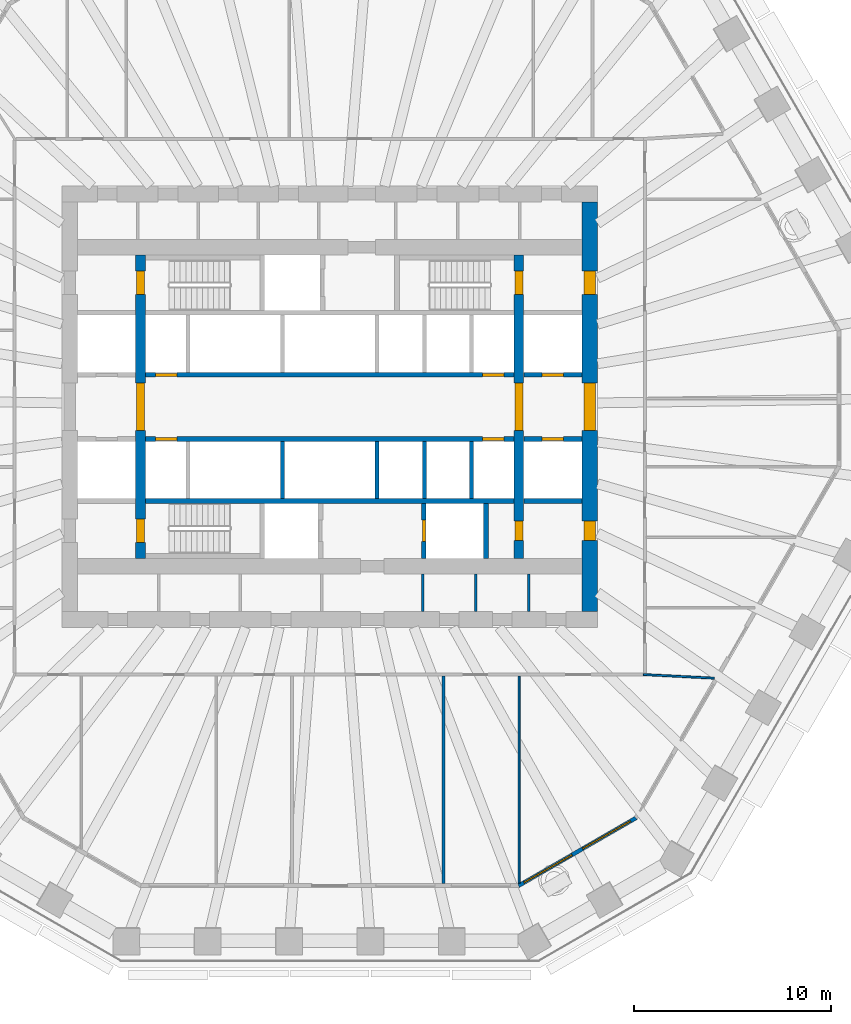
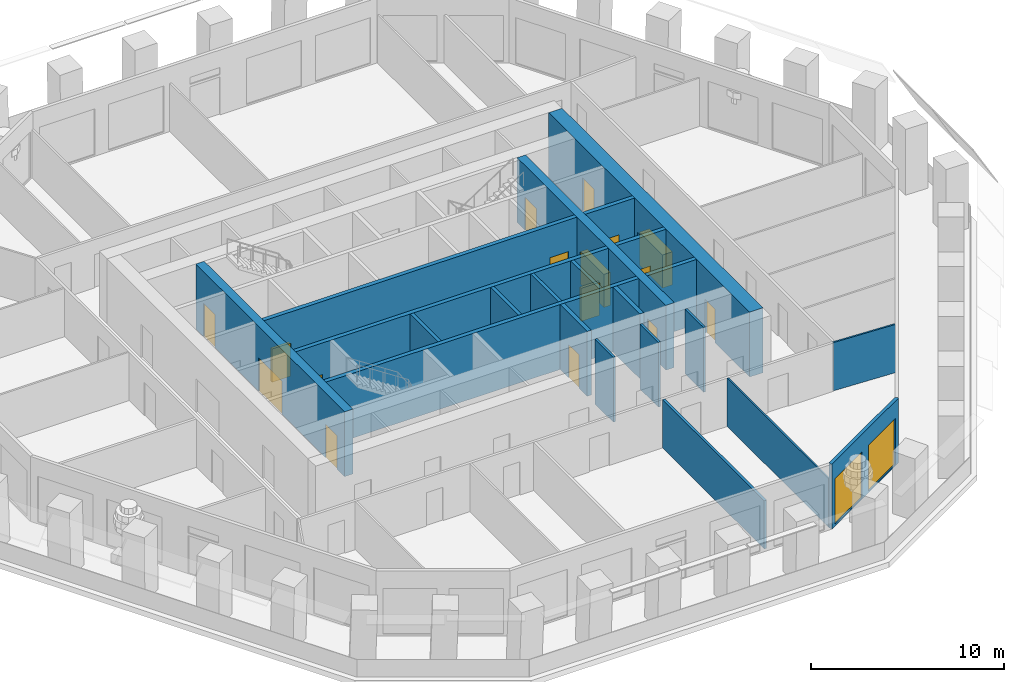
# One storey, part 5 of 13: 22 walls, 16 doors, 2 windows, 18 openings.
"""IFC4 building model written with IfcOpenShell, lengths in metres."""

from ifc_helpers import new_model, si_unit, direction, frame, frame_2d, origin, place, context, subcontext, project, spatial, polyline, rectangle, outline, extrude, material, layer, layer_set, type_object, element, fill, save


model = new_model("IFC4")

# Units and contexts
model_context = context("Model", 3, precision=1e-05, world=origin(), true_north=direction((0.0, 1.0)))
body_context = subcontext(model_context, "Body", "Model", "MODEL_VIEW")
ifc_project = project(units=[si_unit("LENGTHUNIT", "METRE"), si_unit("AREAUNIT", "SQUARE_METRE"), si_unit("VOLUMEUNIT", "CUBIC_METRE"), si_unit("PLANEANGLEUNIT", "RADIAN"), si_unit("MASSUNIT", "GRAM", prefix="KILO")], contexts=[model_context])

# Site, building, storey
site_placement = place(None, origin())
site = spatial("IfcSite", under=ifc_project, at=site_placement, CompositionType="ELEMENT")
building_placement = place(site_placement, origin())
building = spatial("IfcBuilding", under=site, at=building_placement, Name="Frailejon Research Tower", CompositionType="ELEMENT")
storey_placement = place(building_placement, frame((0.0, 0.0, 94.0)))
storey = spatial("IfcBuildingStorey", under=building, at=storey_placement, Name="L20", CompositionType="ELEMENT", Elevation=94.0)

# Walls
ifc_material_1 = material(Name="Plasterboard on steel studs", Category="steel")
ifc_layer_1 = layer(ifc_material_1, 0.125)
ifc_layer_set_1 = layer_set([ifc_layer_1], Name="Core partition 125")
wall_type_1 = type_object("IfcWallType", Name="Core partition 125", PredefinedType="PARTITIONING", material=ifc_layer_set_1)
for number, where, z_axis, x_axis, name in (
    (1, (4.71240234375, -10.39990234375, 0.0), (0.0, 0.0, 1.0), (0.0, 1.0, 0.0), "Core partition"),
    (2, (7.408203125, -10.39990234375, 0.0), (0.0, 0.0, 1.0), (0.0, 1.0, 0.0), "Core partition"),
    (3, (10.104248046875, -10.39990234375, 0.0), (0.0, 0.0, 1.0), (0.0, 1.0, 0.0), "Core partition"),
):
    element("IfcWall", number, at=place(storey_placement, frame(where, z_axis=z_axis, x_axis=x_axis)), inside=storey, type_object=wall_type_1, Name=name, PredefinedType="PARTITIONING", context=body_context, shape_type="SweptSolid", body=[
        extrude(rectangle(XDim=1.89990234375, YDim=0.125, at=frame_2d((0.949951171875, 0.0))), origin(), (0.0, 0.0, 1.0), 4.10009765625),
    ])

# Wall, openings, doors
ifc_material_2 = material(Name="Concrete C70/85", Category="concrete")
ifc_layer_2 = layer(ifc_material_2, 0.5)
ifc_layer_set_2 = layer_set([ifc_layer_2], Name="Core shear wall 500 C70/85")
wall_type_2 = type_object("IfcWallType", Name="Core shear wall 500 C70/85", PredefinedType="SHEAR", material=ifc_layer_set_2)
wall_1_placement = place(storey_placement, frame((-9.60009765625, -7.699951171875, 0.0), z_axis=(0.0, 0.0, 1.0), x_axis=(0.0, 1.0, 0.0)))
wall_1 = element("IfcWall", 4, at=wall_1_placement, inside=storey, type_object=wall_type_2, Name="Core shear wall", PredefinedType="SHEAR", context=body_context, shape_type="SweptSolid", body=[
    extrude(rectangle(XDim=15.39990234375, YDim=0.5, at=frame_2d((7.699951171875, 0.0))), origin(), (0.0, 0.0, 1.0), 4.10009765625),
])
opening_1_placement = place(wall_1_placement, frame((6.5, 0.0, 0.0)))
opening_1 = element("IfcOpeningElement", 5, at=opening_1_placement, cuts=wall_1, Name="Opening D2", PredefinedType="OPENING", context=body_context, shape_type="SweptSolid", body=[
    extrude(rectangle(XDim=2.39990234375, YDim=2.10009765625, at=frame_2d((1.199951171875, 1.050048828125))), frame((0.0, 0.260009765625, 0.0), z_axis=(0.0, -1.0, 0.0), x_axis=(1.0, 0.0, 0.0)), (0.0, 0.0, 1.0), 0.52001953125),
])
opening_2_placement = place(wall_1_placement, frame((13.39990234375, 0.0, 0.0)))
opening_2 = element("IfcOpeningElement", 6, at=opening_2_placement, cuts=wall_1, Name="Opening D1", PredefinedType="OPENING", context=body_context, shape_type="SweptSolid", body=[
    extrude(rectangle(XDim=1.199951171875, YDim=2.10009765625, at=frame_2d((0.60009765625, 1.050048828125))), frame((0.0, 0.260009765625, 0.0), z_axis=(0.0, -1.0, 0.0), x_axis=(1.0, 0.0, 0.0)), (0.0, 0.0, 1.0), 0.52001953125),
])
opening_3_placement = place(wall_1_placement, frame((0.800048828125, 0.0, 0.0)))
opening_3 = element("IfcOpeningElement", 7, at=opening_3_placement, cuts=wall_1, Name="Opening D1", PredefinedType="OPENING", context=body_context, shape_type="SweptSolid", body=[
    extrude(rectangle(XDim=1.199951171875, YDim=2.10009765625, at=frame_2d((0.60009765625, 1.050048828125))), frame((0.0, 0.260009765625, 0.0), z_axis=(0.0, -1.0, 0.0), x_axis=(1.0, 0.0, 0.0)), (0.0, 0.0, 1.0), 0.52001953125),
])
ifc_material_3 = material(Name="Steel", Category="steel")
door_type_1 = type_object("IfcDoorType", Name="Lobby double door", OperationType="DOUBLE_DOOR_SINGLE_SWING", PredefinedType="DOOR", material=ifc_material_3)
door_1_placement = place(opening_1_placement, origin())
door_1 = element("IfcDoor", 8, at=door_1_placement, inside=storey, type_object=door_type_1, Name="Lobby door", OperationType="DOUBLE_DOOR_SINGLE_SWING", OverallHeight=2.10009765625, OverallWidth=2.39990234375, PredefinedType="DOOR", context=body_context, shape_type="SweptSolid", body=[
    extrude(rectangle(XDim=2.39990234375, YDim=2.10009765625, at=frame_2d((1.199951171875, 1.050048828125))), frame((0.0, 0.199951171875, 0.0), z_axis=(0.0, -1.0, 0.0), x_axis=(1.0, 0.0, 0.0)), (0.0, 0.0, 1.0), 0.39990234375),
])
fill(opening_1, door_1)
ifc_material_4 = material(Name="Steel", Category="steel")
door_type_2 = type_object("IfcDoorType", Name="Stair door", OperationType="SINGLE_SWING_LEFT", PredefinedType="DOOR", material=ifc_material_4)
door_2_placement = place(opening_2_placement, origin())
door_2 = element("IfcDoor", 9, at=door_2_placement, inside=storey, type_object=door_type_2, Name="Stair door ST1", OperationType="SINGLE_SWING_LEFT", OverallHeight=2.10009765625, OverallWidth=1.199951171875, PredefinedType="DOOR", context=body_context, shape_type="SweptSolid", body=[
    extrude(rectangle(XDim=1.199951171875, YDim=2.10009765625, at=frame_2d((0.60009765625, 1.050048828125))), frame((0.0, 0.199951171875, 0.0), z_axis=(0.0, -1.0, 0.0), x_axis=(1.0, 0.0, 0.0)), (0.0, 0.0, 1.0), 0.39990234375),
])
fill(opening_2, door_2)
door_3_placement = place(opening_3_placement, origin())
door_3 = element("IfcDoor", 10, at=door_3_placement, inside=storey, type_object=door_type_2, Name="Stair door ST2", OperationType="SINGLE_SWING_LEFT", OverallHeight=2.10009765625, OverallWidth=1.199951171875, PredefinedType="DOOR", context=body_context, shape_type="SweptSolid", body=[
    extrude(rectangle(XDim=1.199951171875, YDim=2.10009765625, at=frame_2d((0.60009765625, 1.050048828125))), frame((0.0, 0.199951171875, 0.0), z_axis=(0.0, -1.0, 0.0), x_axis=(1.0, 0.0, 0.0)), (0.0, 0.0, 1.0), 0.39990234375),
])
fill(opening_3, door_3)

wall_2_placement = place(storey_placement, frame((9.60009765625, -7.699951171875, 0.0), z_axis=(0.0, 0.0, 1.0), x_axis=(0.0, 1.0, 0.0)))
wall_2 = element("IfcWall", 11, at=wall_2_placement, inside=storey, type_object=wall_type_2, Name="Core shear wall", PredefinedType="SHEAR", context=body_context, shape_type="SweptSolid", body=[
    extrude(rectangle(XDim=15.39990234375, YDim=0.5, at=frame_2d((7.699951171875, 0.0))), origin(), (0.0, 0.0, 1.0), 4.10009765625),
])
opening_4_placement = place(wall_2_placement, frame((6.5, 0.0, 0.0)))
opening_4 = element("IfcOpeningElement", 12, at=opening_4_placement, cuts=wall_2, Name="Opening D2", PredefinedType="OPENING", context=body_context, shape_type="SweptSolid", body=[
    extrude(rectangle(XDim=2.39990234375, YDim=2.10009765625, at=frame_2d((1.199951171875, 1.050048828125))), frame((0.0, 0.260009765625, 0.0), z_axis=(0.0, -1.0, 0.0), x_axis=(1.0, 0.0, 0.0)), (0.0, 0.0, 1.0), 0.52001953125),
])
opening_5_placement = place(wall_2_placement, frame((13.39990234375, 0.0, 0.0)))
opening_5 = element("IfcOpeningElement", 13, at=opening_5_placement, cuts=wall_2, Name="Opening D1", PredefinedType="OPENING", context=body_context, shape_type="SweptSolid", body=[
    extrude(rectangle(XDim=1.199951171875, YDim=2.10009765625, at=frame_2d((0.60009765625, 1.050048828125))), frame((0.0, 0.260009765625, 0.0), z_axis=(0.0, -1.0, 0.0), x_axis=(1.0, 0.0, 0.0)), (0.0, 0.0, 1.0), 0.52001953125),
])
opening_6_placement = place(wall_2_placement, frame((0.89990234375, 0.0, 0.0)))
opening_6 = element("IfcOpeningElement", 14, at=opening_6_placement, cuts=wall_2, Name="Opening D4", PredefinedType="OPENING", context=body_context, shape_type="SweptSolid", body=[
    extrude(rectangle(XDim=1.0, YDim=2.10009765625, at=frame_2d((0.5, 1.050048828125))), frame((0.0, 0.260009765625, 0.0), z_axis=(0.0, -1.0, 0.0), x_axis=(1.0, 0.0, 0.0)), (0.0, 0.0, 1.0), 0.52001953125),
])
door_4_placement = place(opening_4_placement, origin())
door_4 = element("IfcDoor", 15, at=door_4_placement, inside=storey, type_object=door_type_1, Name="Lobby door", OperationType="DOUBLE_DOOR_SINGLE_SWING", OverallHeight=2.10009765625, OverallWidth=2.39990234375, PredefinedType="DOOR", context=body_context, shape_type="SweptSolid", body=[
    extrude(rectangle(XDim=2.39990234375, YDim=2.10009765625, at=frame_2d((1.199951171875, 1.050048828125))), frame((0.0, 0.199951171875, 0.0), z_axis=(0.0, -1.0, 0.0), x_axis=(1.0, 0.0, 0.0)), (0.0, 0.0, 1.0), 0.39990234375),
])
fill(opening_4, door_4)
ifc_material_5 = material(Name="Steel", Category="steel")
door_type_3 = type_object("IfcDoorType", Name="Service door", OperationType="SINGLE_SWING_LEFT", PredefinedType="DOOR", material=ifc_material_5)
door_5_placement = place(opening_6_placement, origin())
door_5 = element("IfcDoor", 16, at=door_5_placement, inside=storey, type_object=door_type_3, Name="Riser door", OperationType="SINGLE_SWING_LEFT", OverallHeight=2.10009765625, OverallWidth=1.0, PredefinedType="DOOR", context=body_context, shape_type="SweptSolid", body=[
    extrude(rectangle(XDim=1.0, YDim=2.10009765625, at=frame_2d((0.5, 1.050048828125))), frame((0.0, 0.199951171875, 0.0), z_axis=(0.0, -1.0, 0.0), x_axis=(1.0, 0.0, 0.0)), (0.0, 0.0, 1.0), 0.39990234375),
])
fill(opening_6, door_5)
door_6_placement = place(opening_5_placement, origin())
door_6 = element("IfcDoor", 17, at=door_6_placement, inside=storey, type_object=door_type_2, Name="Stair door ST3", OperationType="SINGLE_SWING_LEFT", OverallHeight=2.10009765625, OverallWidth=1.199951171875, PredefinedType="DOOR", context=body_context, shape_type="SweptSolid", body=[
    extrude(rectangle(XDim=1.199951171875, YDim=2.10009765625, at=frame_2d((0.60009765625, 1.050048828125))), frame((0.0, 0.199951171875, 0.0), z_axis=(0.0, -1.0, 0.0), x_axis=(1.0, 0.0, 0.0)), (0.0, 0.0, 1.0), 0.39990234375),
])
fill(opening_5, door_6)

ifc_material_6 = material(Name="Concrete C70/85", Category="concrete")
ifc_layer_3 = layer(ifc_material_6, 0.800048828125)
ifc_layer_set_3 = layer_set([ifc_layer_3], Name="Core shear wall 800 C70/85")
wall_type_3 = type_object("IfcWallType", Name="Core shear wall 800 C70/85", PredefinedType="SHEAR", material=ifc_layer_set_3)
wall_3_placement = place(storey_placement, frame((13.199951171875, -10.39990234375, 0.0), z_axis=(0.0, 0.0, 1.0), x_axis=(0.0, 1.0, 0.0)))
wall_3 = element("IfcWall", 18, at=wall_3_placement, inside=storey, type_object=wall_type_3, Name="Core shear wall", PredefinedType="SHEAR", context=body_context, shape_type="SweptSolid", body=[
    extrude(rectangle(XDim=20.7998046875, YDim=0.800048828125, at=frame_2d((10.39990234375, 0.0))), origin(), (0.0, 0.0, 1.0), 4.10009765625),
])
opening_7_placement = place(wall_3_placement, frame((9.199951171875, 0.0, 0.0)))
opening_7 = element("IfcOpeningElement", 19, at=opening_7_placement, cuts=wall_3, Name="Opening D2", PredefinedType="OPENING", context=body_context, shape_type="SweptSolid", body=[
    extrude(rectangle(XDim=2.39990234375, YDim=2.10009765625, at=frame_2d((1.199951171875, 1.050048828125))), frame((0.0, 0.409912109375, 0.0), z_axis=(0.0, -1.0, 0.0), x_axis=(1.0, 0.0, 0.0)), (0.0, 0.0, 1.0), 0.820068359375),
])
opening_8_placement = place(wall_3_placement, frame((16.10009765625, 0.0, 0.0)))
opening_8 = element("IfcOpeningElement", 20, at=opening_8_placement, cuts=wall_3, Name="Opening D7", PredefinedType="OPENING", context=body_context, shape_type="SweptSolid", body=[
    extrude(rectangle(XDim=1.199951171875, YDim=2.10009765625, at=frame_2d((0.60009765625, 1.050048828125))), frame((0.0, 0.409912109375, 0.0), z_axis=(0.0, -1.0, 0.0), x_axis=(1.0, 0.0, 0.0)), (0.0, 0.0, 1.0), 0.820068359375),
])
opening_9_placement = place(wall_3_placement, frame((3.60009765625, 0.0, 0.0)))
opening_9 = element("IfcOpeningElement", 21, at=opening_9_placement, cuts=wall_3, Name="Opening D4", PredefinedType="OPENING", context=body_context, shape_type="SweptSolid", body=[
    extrude(rectangle(XDim=1.0, YDim=2.10009765625, at=frame_2d((0.5, 1.050048828125))), frame((0.0, 0.409912109375, 0.0), z_axis=(0.0, -1.0, 0.0), x_axis=(1.0, 0.0, 0.0)), (0.0, 0.0, 1.0), 0.820068359375),
])
door_7_placement = place(opening_7_placement, origin())
door_7 = element("IfcDoor", 22, at=door_7_placement, inside=storey, type_object=door_type_1, Name="Lobby door", OperationType="DOUBLE_DOOR_SINGLE_SWING", OverallHeight=2.10009765625, OverallWidth=2.39990234375, PredefinedType="DOOR", context=body_context, shape_type="SweptSolid", body=[
    extrude(rectangle(XDim=2.39990234375, YDim=2.10009765625, at=frame_2d((1.199951171875, 1.050048828125))), frame((0.0, 0.300048828125, 0.0), z_axis=(0.0, -1.0, 0.0), x_axis=(1.0, 0.0, 0.0)), (0.0, 0.0, 1.0), 0.60009765625),
])
fill(opening_7, door_7)
door_8_placement = place(opening_9_placement, origin())
door_8 = element("IfcDoor", 23, at=door_8_placement, inside=storey, type_object=door_type_3, Name="Store door", OperationType="SINGLE_SWING_RIGHT", OverallHeight=2.10009765625, OverallWidth=1.0, PredefinedType="DOOR", context=body_context, shape_type="SweptSolid", body=[
    extrude(rectangle(XDim=1.0, YDim=2.10009765625, at=frame_2d((0.5, 1.050048828125))), frame((0.0, 0.300048828125, 0.0), z_axis=(0.0, -1.0, 0.0), x_axis=(1.0, 0.0, 0.0)), (0.0, 0.0, 1.0), 0.60009765625),
])
fill(opening_9, door_8)
ifc_material_7 = material(Name="Steel", Category="steel")
door_type_4 = type_object("IfcDoorType", Name="Stair exit door", OperationType="SINGLE_SWING_LEFT", PredefinedType="DOOR", material=ifc_material_7)
door_9_placement = place(opening_8_placement, origin())
door_9 = element("IfcDoor", 24, at=door_9_placement, inside=storey, type_object=door_type_4, Name="Stair exit door ST3", OperationType="SINGLE_SWING_RIGHT", OverallHeight=2.10009765625, OverallWidth=1.199951171875, PredefinedType="DOOR", context=body_context, shape_type="SweptSolid", body=[
    extrude(rectangle(XDim=1.199951171875, YDim=2.10009765625, at=frame_2d((0.60009765625, 1.050048828125))), frame((0.0, 0.300048828125, 0.0), z_axis=(0.0, -1.0, 0.0), x_axis=(1.0, 0.0, 0.0)), (0.0, 0.0, 1.0), 0.60009765625),
])
fill(opening_8, door_9)

# Walls
ifc_material_8 = material(Name="Gypsum board and masonry partition", Category="masonry")
ifc_layer_4 = layer(ifc_material_8, 0.14990234375)
ifc_layer_set_4 = layer_set([ifc_layer_4], Name="Laboratory partition, blockwork 150")
wall_type_4 = type_object("IfcWallType", Name="Laboratory partition, blockwork 150", PredefinedType="PARTITIONING", material=ifc_layer_set_4)
wall_4_placement = place(storey_placement, frame((5.77001953125, -24.21484375, 0.0), z_axis=(0.0, 0.0, 1.0), x_axis=(0.0, 1.0, 0.0)))
element("IfcWall", 25, at=wall_4_placement, inside=storey, type_object=wall_type_4, Name="T:IW:L20:010", PredefinedType="PARTITIONING", context=body_context, shape_type="SweptSolid", body=[
    extrude(rectangle(XDim=10.539794921875, YDim=0.14990234375, at=frame_2d((5.27001953125, 0.0))), origin(), (0.0, 0.0, 1.0), 3.050048828125),
])
ifc_material_9 = material(Name="Gypsum board and masonry partition", Category="masonry")
ifc_layer_5 = layer(ifc_material_9, 0.10009765625)
ifc_layer_set_5 = layer_set([ifc_layer_5], Name="Partition, gypsum on steel studs 100")
wall_type_5 = type_object("IfcWallType", Name="Partition, gypsum on steel studs 100", PredefinedType="PARTITIONING", material=ifc_layer_set_5)
wall_5_placement = place(storey_placement, frame((9.616943359375, -24.183837890625, 0.0), z_axis=(0.0, 0.0, 1.0), x_axis=(0.0, 1.0, 0.0)))
element("IfcWall", 26, at=wall_5_placement, inside=storey, type_object=wall_type_5, Name="T:IW:L20:023", PredefinedType="PARTITIONING", context=body_context, shape_type="SweptSolid", body=[
    extrude(rectangle(XDim=10.5087890625, YDim=0.10009765625, at=frame_2d((5.25439453125, 0.0))), origin(), (0.0, 0.0, 1.0), 3.050048828125),
])
wall_6_placement = place(storey_placement, frame((15.925048828125, -13.59619140625, 0.0), z_axis=(0.0, 0.0, 1.0), x_axis=(0.998716975496, -0.05063993341, 0.0)))
element("IfcWall", 27, at=wall_6_placement, inside=storey, type_object=wall_type_5, Name="T:IW:L20:024", PredefinedType="PARTITIONING", context=body_context, shape_type="SweptSolid", body=[
    extrude(rectangle(XDim=3.606201171875, YDim=0.10009765625, at=frame_2d((1.80322265625, 0.0))), origin(), (0.0, 0.0, 1.0), 3.050048828125),
])
ifc_material_10 = material(Name="Concrete C70/85", Category="concrete")
ifc_layer_6 = layer(ifc_material_10, 0.199951171875)
ifc_layer_set_6 = layer_set([ifc_layer_6], Name="Shaft wall 200 C70/85")
wall_type_6 = type_object("IfcWallType", Name="Shaft wall 200 C70/85", PredefinedType="SOLIDWALL", material=ifc_layer_set_6)
for number, where, z_axis, x_axis, name in (
    (28, (-2.39990234375, -4.64990234375, 0.0), (0.0, 0.0, 1.0), (0.0, 1.0, 0.0), "Shaft wall"),
    (29, (2.39990234375, -4.64990234375, 0.0), (0.0, 0.0, 1.0), (0.0, 1.0, 0.0), "Shaft wall"),
    (30, (4.800048828125, -4.64990234375, 0.0), (0.0, 0.0, 1.0), (0.0, 1.0, 0.0), "Shaft wall"),
    (31, (7.199951171875, -4.64990234375, 0.0), (0.0, 0.0, 1.0), (0.0, 1.0, 0.0), "Shaft wall"),
):
    element("IfcWall", number, at=place(storey_placement, frame(where, z_axis=z_axis, x_axis=x_axis)), inside=storey, type_object=wall_type_6, Name=name, PredefinedType="SOLIDWALL", context=body_context, shape_type="SweptSolid", body=[
        extrude(rectangle(XDim=2.89990234375, YDim=0.199951171875, at=frame_2d((1.449951171875, 0.0))), origin(), (0.0, 0.0, 1.0), 4.10009765625),
    ])

# Wall, openings, doors
ifc_material_11 = material(Name="Concrete C70/85", Category="concrete")
ifc_layer_7 = layer(ifc_material_11, 0.25)
ifc_layer_set_7 = layer_set([ifc_layer_7], Name="Shaft wall 250 C70/85")
wall_type_7 = type_object("IfcWallType", Name="Shaft wall 250 C70/85", PredefinedType="SOLIDWALL", material=ifc_layer_set_7)
wall_7_placement = place(storey_placement, frame((-9.35009765625, 1.625, 0.0), z_axis=(0.0, 0.0, 1.0), x_axis=(1.0, 0.0, 0.0)))
wall_7 = element("IfcWall", 32, at=wall_7_placement, inside=storey, type_object=wall_type_7, Name="Shaft wall", PredefinedType="SOLIDWALL", context=body_context, shape_type="SweptSolid", body=[
    extrude(rectangle(XDim=18.7001953125, YDim=0.25, at=frame_2d((9.35009765625, 0.0))), origin(), (0.0, 0.0, 1.0), 4.10009765625),
])
opening_10_placement = place(wall_7_placement, frame((0.5, 0.0, 0.0)))
opening_10 = element("IfcOpeningElement", 33, at=opening_10_placement, cuts=wall_7, Name="Opening LD", PredefinedType="OPENING", context=body_context, shape_type="SweptSolid", body=[
    extrude(rectangle(XDim=1.10009765625, YDim=2.10009765625, at=frame_2d((0.550048828125, 1.050048828125))), frame((0.0, 0.135009765625, 0.0), z_axis=(0.0, -1.0, 0.0), x_axis=(1.0, 0.0, 0.0)), (0.0, 0.0, 1.0), 0.27001953125),
])
opening_11_placement = place(wall_7_placement, frame((17.10009765625, 0.0, 0.0)))
opening_11 = element("IfcOpeningElement", 34, at=opening_11_placement, cuts=wall_7, Name="Opening LD", PredefinedType="OPENING", context=body_context, shape_type="SweptSolid", body=[
    extrude(rectangle(XDim=1.10009765625, YDim=2.10009765625, at=frame_2d((0.550048828125, 1.050048828125))), frame((0.0, 0.135009765625, 0.0), z_axis=(0.0, -1.0, 0.0), x_axis=(1.0, 0.0, 0.0)), (0.0, 0.0, 1.0), 0.27001953125),
])
ifc_material_12 = material(Name="Steel", Category="steel")
door_type_5 = type_object("IfcDoorType", Name="Lift landing door", OperationType="DOUBLE_DOOR_SLIDING", PredefinedType="DOOR", material=ifc_material_12)
door_10_placement = place(opening_10_placement, origin())
door_10 = element("IfcDoor", 35, at=door_10_placement, inside=storey, type_object=door_type_5, Name="Lift landing door", OperationType="DOUBLE_DOOR_SLIDING", OverallHeight=2.10009765625, OverallWidth=1.10009765625, PredefinedType="DOOR", context=body_context, shape_type="SweptSolid", body=[
    extrude(rectangle(XDim=1.10009765625, YDim=2.10009765625, at=frame_2d((0.550048828125, 1.050048828125))), frame((0.0, 0.074951171875, 0.0), z_axis=(0.0, -1.0, 0.0), x_axis=(1.0, 0.0, 0.0)), (0.0, 0.0, 1.0), 0.14990234375),
])
fill(opening_10, door_10)
door_11_placement = place(opening_11_placement, origin())
door_11 = element("IfcDoor", 36, at=door_11_placement, inside=storey, type_object=door_type_5, Name="Lift landing door", OperationType="DOUBLE_DOOR_SLIDING", OverallHeight=2.10009765625, OverallWidth=1.10009765625, PredefinedType="DOOR", context=body_context, shape_type="SweptSolid", body=[
    extrude(rectangle(XDim=1.10009765625, YDim=2.10009765625, at=frame_2d((0.550048828125, 1.050048828125))), frame((0.0, 0.074951171875, 0.0), z_axis=(0.0, -1.0, 0.0), x_axis=(1.0, 0.0, 0.0)), (0.0, 0.0, 1.0), 0.14990234375),
])
fill(opening_11, door_11)

# Wall, opening, door
wall_8_placement = place(storey_placement, frame((9.85009765625, 1.625, 0.0), z_axis=(0.0, 0.0, 1.0), x_axis=(1.0, 0.0, 0.0)))
wall_8 = element("IfcWall", 37, at=wall_8_placement, inside=storey, type_object=wall_type_7, Name="Shaft wall", PredefinedType="SOLIDWALL", context=body_context, shape_type="SweptSolid", body=[
    extrude(rectangle(XDim=2.949951171875, YDim=0.25, at=frame_2d((1.47509765625, 0.0))), origin(), (0.0, 0.0, 1.0), 4.10009765625),
])
opening_12_placement = place(wall_8_placement, frame((0.925048828125, 0.0, 0.0)))
opening_12 = element("IfcOpeningElement", 38, at=opening_12_placement, cuts=wall_8, Name="Opening LD", PredefinedType="OPENING", context=body_context, shape_type="SweptSolid", body=[
    extrude(rectangle(XDim=1.10009765625, YDim=2.10009765625, at=frame_2d((0.550048828125, 1.050048828125))), frame((0.0, 0.135009765625, 0.0), z_axis=(0.0, -1.0, 0.0), x_axis=(1.0, 0.0, 0.0)), (0.0, 0.0, 1.0), 0.27001953125),
])
door_12_placement = place(opening_12_placement, origin())
door_12 = element("IfcDoor", 39, at=door_12_placement, inside=storey, type_object=door_type_5, Name="Lift landing door", OperationType="DOUBLE_DOOR_SLIDING", OverallHeight=2.10009765625, OverallWidth=1.10009765625, PredefinedType="DOOR", context=body_context, shape_type="SweptSolid", body=[
    extrude(rectangle(XDim=1.10009765625, YDim=2.10009765625, at=frame_2d((0.550048828125, 1.050048828125))), frame((0.0, 0.074951171875, 0.0), z_axis=(0.0, -1.0, 0.0), x_axis=(1.0, 0.0, 0.0)), (0.0, 0.0, 1.0), 0.14990234375),
])
fill(opening_12, door_12)

# Wall, openings, doors
wall_9_placement = place(storey_placement, frame((-9.35009765625, -1.625, 0.0), z_axis=(0.0, 0.0, 1.0), x_axis=(1.0, 0.0, 0.0)))
wall_9 = element("IfcWall", 40, at=wall_9_placement, inside=storey, type_object=wall_type_7, Name="Shaft wall", PredefinedType="SOLIDWALL", context=body_context, shape_type="SweptSolid", body=[
    extrude(rectangle(XDim=18.7001953125, YDim=0.25, at=frame_2d((9.35009765625, 0.0))), origin(), (0.0, 0.0, 1.0), 4.10009765625),
])
opening_13_placement = place(wall_9_placement, frame((0.5, 0.0, 0.0)))
opening_13 = element("IfcOpeningElement", 41, at=opening_13_placement, cuts=wall_9, Name="Opening LD", PredefinedType="OPENING", context=body_context, shape_type="SweptSolid", body=[
    extrude(rectangle(XDim=1.10009765625, YDim=2.10009765625, at=frame_2d((0.550048828125, 1.050048828125))), frame((0.0, 0.135009765625, 0.0), z_axis=(0.0, -1.0, 0.0), x_axis=(1.0, 0.0, 0.0)), (0.0, 0.0, 1.0), 0.27001953125),
])
opening_14_placement = place(wall_9_placement, frame((17.10009765625, 0.0, 0.0)))
opening_14 = element("IfcOpeningElement", 42, at=opening_14_placement, cuts=wall_9, Name="Opening LD", PredefinedType="OPENING", context=body_context, shape_type="SweptSolid", body=[
    extrude(rectangle(XDim=1.10009765625, YDim=2.10009765625, at=frame_2d((0.550048828125, 1.050048828125))), frame((0.0, 0.135009765625, 0.0), z_axis=(0.0, -1.0, 0.0), x_axis=(1.0, 0.0, 0.0)), (0.0, 0.0, 1.0), 0.27001953125),
])
door_13_placement = place(opening_13_placement, origin())
door_13 = element("IfcDoor", 43, at=door_13_placement, inside=storey, type_object=door_type_5, Name="Lift landing door", OperationType="DOUBLE_DOOR_SLIDING", OverallHeight=2.10009765625, OverallWidth=1.10009765625, PredefinedType="DOOR", context=body_context, shape_type="SweptSolid", body=[
    extrude(rectangle(XDim=1.10009765625, YDim=2.10009765625, at=frame_2d((0.550048828125, 1.050048828125))), frame((0.0, 0.074951171875, 0.0), z_axis=(0.0, -1.0, 0.0), x_axis=(1.0, 0.0, 0.0)), (0.0, 0.0, 1.0), 0.14990234375),
])
fill(opening_13, door_13)
door_14_placement = place(opening_14_placement, origin())
door_14 = element("IfcDoor", 44, at=door_14_placement, inside=storey, type_object=door_type_5, Name="Lift landing door", OperationType="DOUBLE_DOOR_SLIDING", OverallHeight=2.10009765625, OverallWidth=1.10009765625, PredefinedType="DOOR", context=body_context, shape_type="SweptSolid", body=[
    extrude(rectangle(XDim=1.10009765625, YDim=2.10009765625, at=frame_2d((0.550048828125, 1.050048828125))), frame((0.0, 0.074951171875, 0.0), z_axis=(0.0, -1.0, 0.0), x_axis=(1.0, 0.0, 0.0)), (0.0, 0.0, 1.0), 0.14990234375),
])
fill(opening_14, door_14)

# Wall, opening, door
wall_10_placement = place(storey_placement, frame((9.85009765625, -1.625, 0.0), z_axis=(0.0, 0.0, 1.0), x_axis=(1.0, 0.0, 0.0)))
wall_10 = element("IfcWall", 45, at=wall_10_placement, inside=storey, type_object=wall_type_7, Name="Shaft wall", PredefinedType="SOLIDWALL", context=body_context, shape_type="SweptSolid", body=[
    extrude(rectangle(XDim=2.949951171875, YDim=0.25, at=frame_2d((1.47509765625, 0.0))), origin(), (0.0, 0.0, 1.0), 4.10009765625),
])
opening_15_placement = place(wall_10_placement, frame((0.925048828125, 0.0, 0.0)))
opening_15 = element("IfcOpeningElement", 46, at=opening_15_placement, cuts=wall_10, Name="Opening LD", PredefinedType="OPENING", context=body_context, shape_type="SweptSolid", body=[
    extrude(rectangle(XDim=1.10009765625, YDim=2.10009765625, at=frame_2d((0.550048828125, 1.050048828125))), frame((0.0, 0.135009765625, 0.0), z_axis=(0.0, -1.0, 0.0), x_axis=(1.0, 0.0, 0.0)), (0.0, 0.0, 1.0), 0.27001953125),
])
door_15_placement = place(opening_15_placement, origin())
door_15 = element("IfcDoor", 47, at=door_15_placement, inside=storey, type_object=door_type_5, Name="Lift landing door", OperationType="DOUBLE_DOOR_SLIDING", OverallHeight=2.10009765625, OverallWidth=1.10009765625, PredefinedType="DOOR", context=body_context, shape_type="SweptSolid", body=[
    extrude(rectangle(XDim=1.10009765625, YDim=2.10009765625, at=frame_2d((0.550048828125, 1.050048828125))), frame((0.0, 0.074951171875, 0.0), z_axis=(0.0, -1.0, 0.0), x_axis=(1.0, 0.0, 0.0)), (0.0, 0.0, 1.0), 0.14990234375),
])
fill(opening_15, door_15)

# Walls
wall_11_placement = place(storey_placement, frame((-9.35009765625, -4.77490234375, 0.0), z_axis=(0.0, 0.0, 1.0), x_axis=(1.0, 0.0, 0.0)))
element("IfcWall", 48, at=wall_11_placement, inside=storey, type_object=wall_type_7, Name="Shaft wall", PredefinedType="SOLIDWALL", context=body_context, shape_type="SweptSolid", body=[
    extrude(rectangle(XDim=18.7001953125, YDim=0.25, at=frame_2d((9.35009765625, 0.0))), origin(), (0.0, 0.0, 1.0), 4.10009765625),
])
wall_12_placement = place(storey_placement, frame((9.85009765625, -4.77490234375, 0.0), z_axis=(0.0, 0.0, 1.0), x_axis=(1.0, 0.0, 0.0)))
element("IfcWall", 49, at=wall_12_placement, inside=storey, type_object=wall_type_7, Name="Shaft wall", PredefinedType="SOLIDWALL", context=body_context, shape_type="SweptSolid", body=[
    extrude(rectangle(XDim=2.949951171875, YDim=0.25, at=frame_2d((1.47509765625, 0.0))), origin(), (0.0, 0.0, 1.0), 4.10009765625),
])

# Wall, opening, door
wall_13_placement = place(storey_placement, frame((4.77490234375, -7.699951171875, 0.0), z_axis=(0.0, 0.0, 1.0), x_axis=(0.0, 1.0, 0.0)))
wall_13 = element("IfcWall", 50, at=wall_13_placement, inside=storey, type_object=wall_type_7, Name="Shaft wall", PredefinedType="SOLIDWALL", context=body_context, shape_type="SweptSolid", body=[
    extrude(rectangle(XDim=2.800048828125, YDim=0.25, at=frame_2d((1.39990234375, 0.0))), origin(), (0.0, 0.0, 1.0), 4.10009765625),
])
opening_16_placement = place(wall_13_placement, frame((0.85009765625, 0.0, 0.0)))
opening_16 = element("IfcOpeningElement", 51, at=opening_16_placement, cuts=wall_13, Name="Opening LD", PredefinedType="OPENING", context=body_context, shape_type="SweptSolid", body=[
    extrude(rectangle(XDim=1.10009765625, YDim=2.10009765625, at=frame_2d((0.550048828125, 1.050048828125))), frame((0.0, 0.135009765625, 0.0), z_axis=(0.0, -1.0, 0.0), x_axis=(1.0, 0.0, 0.0)), (0.0, 0.0, 1.0), 0.27001953125),
])
door_16_placement = place(opening_16_placement, origin())
door_16 = element("IfcDoor", 52, at=door_16_placement, inside=storey, type_object=door_type_5, Name="Lift landing door", OperationType="DOUBLE_DOOR_SLIDING", OverallHeight=2.10009765625, OverallWidth=1.10009765625, PredefinedType="DOOR", context=body_context, shape_type="SweptSolid", body=[
    extrude(rectangle(XDim=1.10009765625, YDim=2.10009765625, at=frame_2d((0.550048828125, 1.050048828125))), frame((0.0, 0.074951171875, 0.0), z_axis=(0.0, -1.0, 0.0), x_axis=(1.0, 0.0, 0.0)), (0.0, 0.0, 1.0), 0.14990234375),
])
fill(opening_16, door_16)

# Wall
wall_14_placement = place(storey_placement, frame((7.925048828125, -7.699951171875, 0.0), z_axis=(0.0, 0.0, 1.0), x_axis=(0.0, 1.0, 0.0)))
element("IfcWall", 53, at=wall_14_placement, inside=storey, type_object=wall_type_7, Name="Shaft wall", PredefinedType="SOLIDWALL", context=body_context, shape_type="SweptSolid", body=[
    extrude(rectangle(XDim=2.800048828125, YDim=0.25, at=frame_2d((1.39990234375, 0.0))), origin(), (0.0, 0.0, 1.0), 4.10009765625),
])

# Wall, openings, windows
ifc_material_13 = material(Name="Concrete C40/50 precast window wall panel", Category="concrete")
ifc_layer_8 = layer(ifc_material_13, 0.199951171875)
ifc_layer_set_8 = layer_set([ifc_layer_8], Name="Window wall 200")
wall_type_8 = type_object("IfcWallType", Name="Window wall 200", PredefinedType="SOLIDWALL", material=ifc_layer_set_8)
wall_15_placement = place(storey_placement, frame((9.590087890625, -24.314697265625, 0.0), z_axis=(0.0, 0.0, 1.0), x_axis=(0.866029458321, 0.49999297727, 0.0)))
wall_15 = element("IfcWall", 54, at=wall_15_placement, inside=storey, type_object=wall_type_8, Name="Exterior wall L20", PredefinedType="SOLIDWALL", context=body_context, shape_type="SweptSolid", body=[
    extrude(outline(polyline([(-0.02685546875, -0.10009765625), (1.1279296875, -0.10009765625), (2.282470703125, -0.10009765625), (3.437255859375, -0.10009765625), (4.592041015625, -0.10009765625), (5.74658203125, -0.10009765625), (6.9013671875, -0.10009765625), (6.84765625, 0.10009765625), (5.7109375, 0.10009765625), (4.573974609375, 0.10009765625), (3.437255859375, 0.10009765625), (2.300537109375, 0.10009765625), (1.16357421875, 0.10009765625), (0.02685546875, 0.10009765625), (-0.02685546875, -0.10009765625)])), origin(), (0.0, 0.0, 1.0), 4.10009765625),
])
opening_17_placement = place(wall_15_placement, frame((0.318603515625, 0.0, 0.10009765625)))
opening_17 = element("IfcOpeningElement", 55, at=opening_17_placement, cuts=wall_15, Name="Opening W3", PredefinedType="OPENING", context=body_context, shape_type="SweptSolid", body=[
    extrude(rectangle(XDim=2.800048828125, YDim=2.89990234375, at=frame_2d((1.39990234375, 1.449951171875))), frame((0.0, 0.10986328125, 0.0), z_axis=(0.0, -1.0, 0.0), x_axis=(1.0, 0.0, 0.0)), (0.0, 0.0, 1.0), 0.219970703125),
])
opening_18_placement = place(wall_15_placement, frame((3.756103515625, 0.0, 0.10009765625)))
opening_18 = element("IfcOpeningElement", 56, at=opening_18_placement, cuts=wall_15, Name="Opening W3", PredefinedType="OPENING", context=body_context, shape_type="SweptSolid", body=[
    extrude(rectangle(XDim=2.800048828125, YDim=2.89990234375, at=frame_2d((1.39990234375, 1.449951171875))), frame((0.0, 0.10986328125, 0.0), z_axis=(0.0, -1.0, 0.0), x_axis=(1.0, 0.0, 0.0)), (0.0, 0.0, 1.0), 0.219970703125),
])
ifc_material_14 = material(Name="Aluminium framed double glazing", Category="aluminium")
window_type = type_object("IfcWindowType", Name="Window 2800x2900", PartitioningType="SINGLE_PANEL", PredefinedType="WINDOW", material=ifc_material_14)
window_1_placement = place(opening_17_placement, origin())
window_1 = element("IfcWindow", 57, at=window_1_placement, inside=storey, type_object=window_type, Name="Window L20", OverallHeight=2.89990234375, OverallWidth=2.800048828125, PartitioningType="SINGLE_PANEL", PredefinedType="WINDOW", context=body_context, shape_type="SweptSolid", body=[
    extrude(rectangle(XDim=2.800048828125, YDim=2.89990234375, at=frame_2d((1.39990234375, 1.449951171875))), frame((0.0, 0.030029296875, 0.0), z_axis=(0.0, -1.0, 0.0), x_axis=(1.0, 0.0, 0.0)), (0.0, 0.0, 1.0), 0.06005859375),
])
fill(opening_17, window_1)
window_2_placement = place(opening_18_placement, origin())
window_2 = element("IfcWindow", 58, at=window_2_placement, inside=storey, type_object=window_type, Name="Window L20", OverallHeight=2.89990234375, OverallWidth=2.800048828125, PartitioningType="SINGLE_PANEL", PredefinedType="WINDOW", context=body_context, shape_type="SweptSolid", body=[
    extrude(rectangle(XDim=2.800048828125, YDim=2.89990234375, at=frame_2d((1.39990234375, 1.449951171875))), frame((0.0, 0.030029296875, 0.0), z_axis=(0.0, -1.0, 0.0), x_axis=(1.0, 0.0, 0.0)), (0.0, 0.0, 1.0), 0.06005859375),
])
fill(opening_18, window_2)

save(model, "model.ifc")
